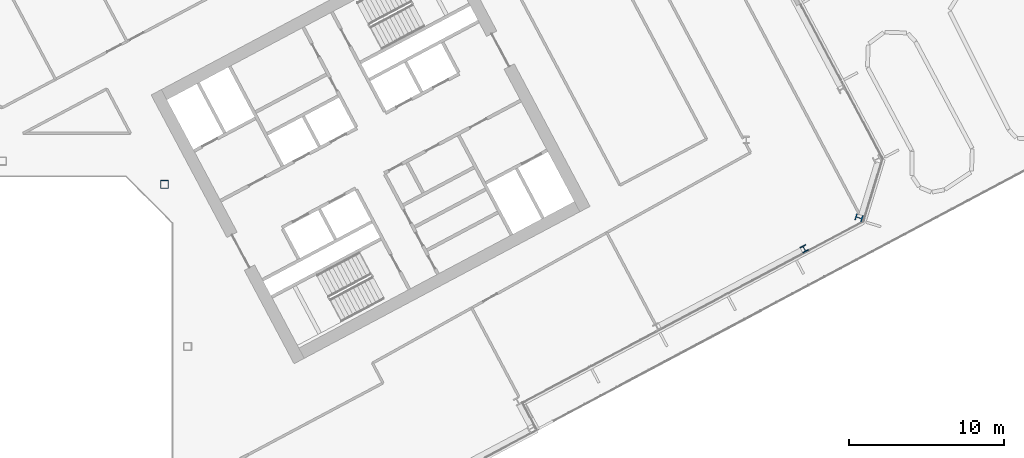
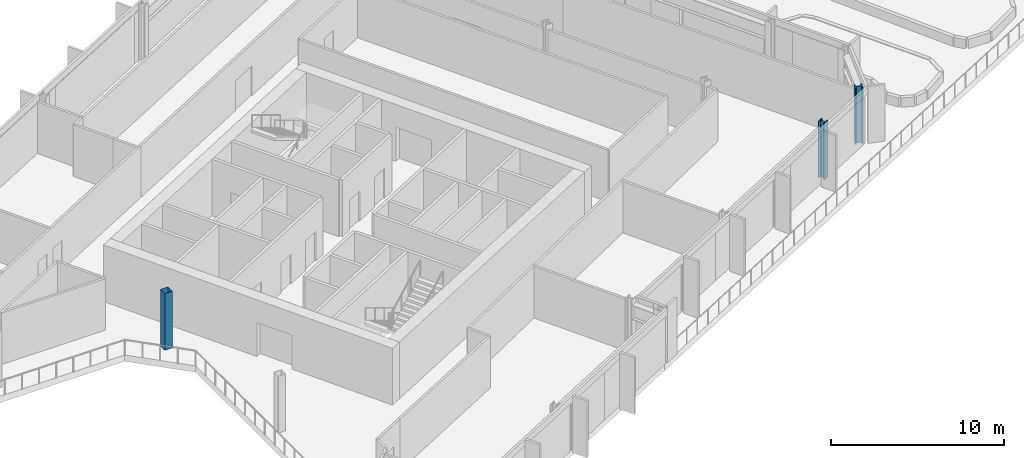
# One storey, part 6 of 34: 3 columns.
"""IFC4 building model written with IfcOpenShell, lengths in metres."""

from ifc_helpers import new_model, si_unit, direction, frame, origin, origin_2d, place, context, subcontext, project, spatial, hollow_rectangle, i_section, extrude, material, material_profile, profile_set, type_object, element, save


model = new_model("IFC4")

# Units and contexts
model_context = context("Model", 3, precision=1e-05, world=origin(), true_north=direction((0.0, 1.0)))
body_context = subcontext(model_context, "Body", "Model", "MODEL_VIEW")
ifc_project = project(units=[si_unit("LENGTHUNIT", "METRE"), si_unit("AREAUNIT", "SQUARE_METRE"), si_unit("VOLUMEUNIT", "CUBIC_METRE"), si_unit("PLANEANGLEUNIT", "RADIAN"), si_unit("MASSUNIT", "GRAM", prefix="KILO")], contexts=[model_context])

# Site, building, storey
site_placement = place(None, origin())
site = spatial("IfcSite", under=ifc_project, at=site_placement, CompositionType="ELEMENT")
building_placement = place(site_placement, origin())
building = spatial("IfcBuilding", under=site, at=building_placement, Name="Cormorant Relay Tower", CompositionType="ELEMENT")
storey_placement = place(building_placement, frame((0.0, 0.0, 118.199951171875)))
storey = spatial("IfcBuildingStorey", under=building, at=storey_placement, Name="L23", CompositionType="ELEMENT", Elevation=118.199951171875)

# Columns
ifc_material_1 = material(Name="Steel ASTM A500 Grade C (Fy 345 MPa)", Category="steel")
ifc_material_profile_1 = material_profile(ifc_material_1, hollow_rectangle(XDim=0.508056640625, YDim=0.508056640625, WallThickness=0.01171875, InnerFilletRadius=0.005859375, OuterFilletRadius=0.017822265625, at=origin_2d()), Name="HSS508x508x12")
ifc_profile_set_1 = profile_set([ifc_material_profile_1], Name="Steel ASTM A500 Grade C (Fy 345 MPa)")
column_type_1 = type_object("IfcColumnType", Name="Column HSS508x508x12", PredefinedType="COLUMN", material=ifc_profile_set_1)
column_1_placement = place(storey_placement, frame((10.5, 10.5, 0.0), z_axis=(0.0, 0.0, 1.0), x_axis=(1.0, 0.0, 0.0)))
element("IfcColumn", 1, at=column_1_placement, inside=storey, type_object=column_type_1, Name="Column L23-024", PredefinedType="COLUMN", context=body_context, shape_type="SweptSolid", body=[
    extrude(hollow_rectangle(XDim=0.508056640625, YDim=0.508056640625, WallThickness=0.01171875, InnerFilletRadius=0.005859375, OuterFilletRadius=0.017822265625, at=origin_2d()), origin(), (0.0, 0.0, 1.0), 4.0),
])
ifc_material_2 = material(Name="Steel ASTM A992 (Fy 345 MPa)", Category="steel")
ifc_material_profile_2 = material_profile(ifc_material_2, i_section(OverallWidth=0.41162109375, OverallDepth=0.434326171875, WebThickness=0.035888671875, FlangeThickness=0.057373046875, FilletRadius=0.01513671875, at=origin_2d()), Name="W360x463")
ifc_profile_set_2 = profile_set([ifc_material_profile_2], Name="Steel ASTM A992 (Fy 345 MPa)")
column_type_2 = type_object("IfcColumnType", Name="Column W360x463", PredefinedType="COLUMN", material=ifc_profile_set_2)
column_2_placement = place(storey_placement, frame((51.905029296875, 6.327880859375, 0.0), z_axis=(0.0, 0.0, 1.0), x_axis=(0.882947592859, 0.469471562786, 0.0)))
element("IfcColumn", 2, at=column_2_placement, inside=storey, type_object=column_type_2, Name="Column L23-020", PredefinedType="COLUMN", context=body_context, shape_type="SweptSolid", body=[
    extrude(i_section(OverallWidth=0.41162109375, OverallDepth=0.434326171875, WebThickness=0.035888671875, FlangeThickness=0.057373046875, FilletRadius=0.01513671875, at=origin_2d()), origin(), (0.0, 0.0, 1.0), 4.0),
])
ifc_material_3 = material(Name="Steel ASTM A992 (Fy 345 MPa)", Category="steel")
ifc_material_profile_3 = material_profile(ifc_material_3, i_section(OverallWidth=0.42431640625, OverallDepth=0.47509765625, WebThickness=0.0478515625, FlangeThickness=0.0771484375, FilletRadius=0.014892578125, at=origin_2d()), Name="W360x634")
ifc_profile_set_3 = profile_set([ifc_material_profile_3], Name="Steel ASTM A992 (Fy 345 MPa)")
column_type_3 = type_object("IfcColumnType", Name="Column W360x634", PredefinedType="COLUMN", material=ifc_profile_set_3)
column_3_placement = place(storey_placement, frame((55.446044921875, 8.3291015625, 0.0), z_axis=(0.0, 0.0, 1.0), x_axis=(0.292371704723, 0.956304755963, 0.0)))
element("IfcColumn", 3, at=column_3_placement, inside=storey, type_object=column_type_3, Name="Column L23-021", PredefinedType="COLUMN", context=body_context, shape_type="SweptSolid", body=[
    extrude(i_section(OverallWidth=0.42431640625, OverallDepth=0.47509765625, WebThickness=0.0478515625, FlangeThickness=0.0771484375, FilletRadius=0.014892578125, at=origin_2d()), origin(), (0.0, 0.0, 1.0), 4.0),
])

save(model, "model.ifc")
